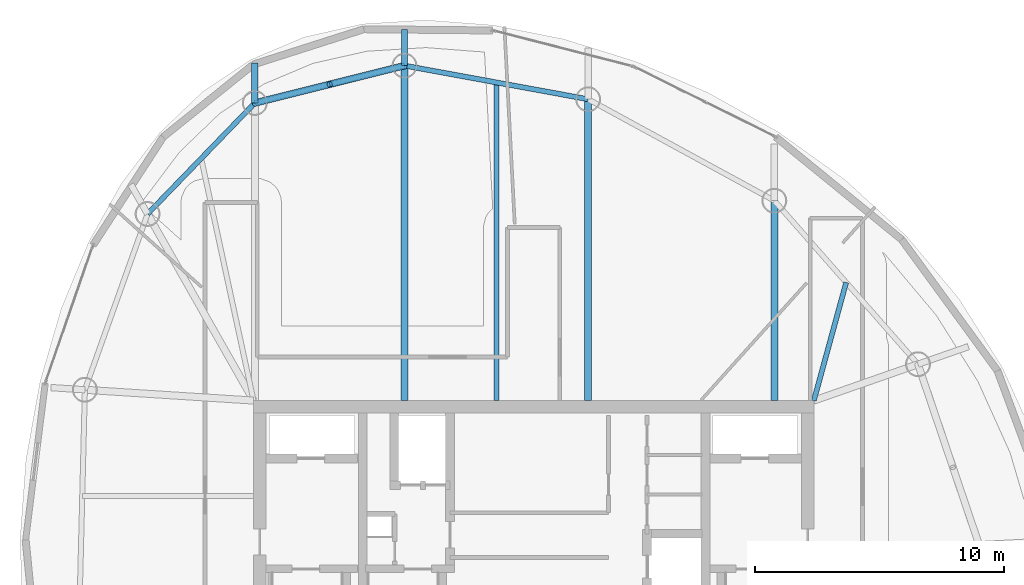
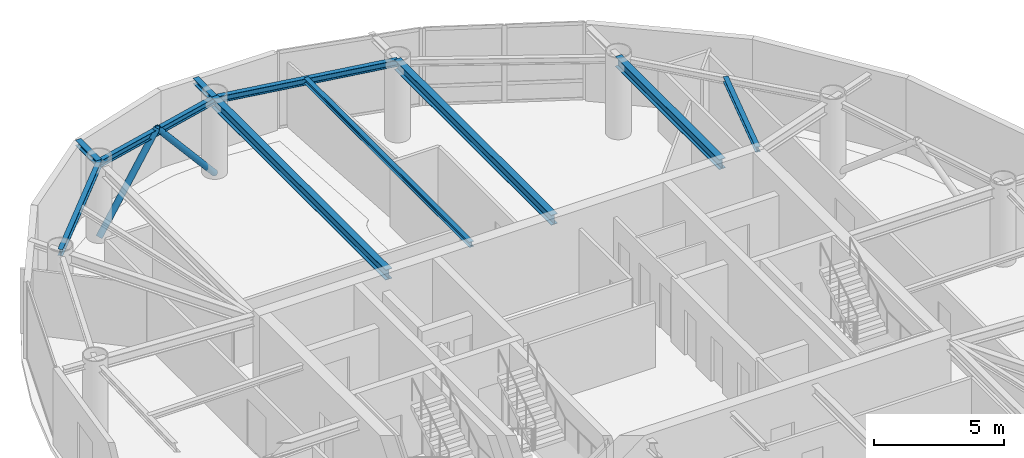
# One storey, part 9 of 17: 10 beams, 2 members.
"""IFC4 building model written with IfcOpenShell, lengths in metres."""

from ifc_helpers import new_model, si_unit, direction, frame, origin, origin_2d, place, context, subcontext, project, spatial, hollow_circle, i_section, extrude, material, material_profile, profile_set, type_object, element, save


model = new_model("IFC4")

# Units and contexts
model_context = context("Model", 3, precision=1e-05, world=origin(), true_north=direction((0.0, 1.0)))
body_context = subcontext(model_context, "Body", "Model", "MODEL_VIEW")
ifc_project = project(units=[si_unit("LENGTHUNIT", "METRE"), si_unit("AREAUNIT", "SQUARE_METRE"), si_unit("VOLUMEUNIT", "CUBIC_METRE"), si_unit("PLANEANGLEUNIT", "RADIAN"), si_unit("MASSUNIT", "GRAM", prefix="KILO")], contexts=[model_context])

# Site, building, storey
site_placement = place(None, origin())
site = spatial("IfcSite", under=ifc_project, at=site_placement, CompositionType="ELEMENT")
building_placement = place(site_placement, origin())
building = spatial("IfcBuilding", under=site, at=building_placement, Name="Bramvorn Convention Spire", CompositionType="ELEMENT")
storey_placement = place(building_placement, frame((0.0, 0.0, 280.550048828125)))
storey = spatial("IfcBuildingStorey", under=building, at=storey_placement, Name="L71", CompositionType="ELEMENT", Elevation=280.550048828125)

# Beams
ifc_material = material(Name="Steel CSA G40.21 Grade 350 (350W)", Category="steel")
ifc_material_profile_1 = material_profile(ifc_material, i_section(OverallWidth=0.201904296875, OverallDepth=0.2470703125, WebThickness=0.00732421875, FlangeThickness=0.010986328125, FilletRadius=0.011962890625, at=origin_2d()))
ifc_profile_set_1 = profile_set([ifc_material_profile_1], Name="Steel CSA G40.21 Grade 350 (350W) - W250X49")
beam_type_1 = type_object("IfcBeamType", Name="BM-W250X49", PredefinedType="JOIST", material=ifc_profile_set_1)
beam_1_placement = place(storey_placement, frame((49.25, 33.449951171875, 3.50146484375), z_axis=(0.26386506219, 0.96455960363, 0.0), x_axis=(-0.96455960363, 0.26386506219, 0.0)))
element("IfcBeam", 1, at=beam_1_placement, inside=storey, type_object=beam_type_1, Name="L71 composite floor joist 05", PredefinedType="JOIST", context=body_context, shape_type="SweptSolid", body=[
    extrude(i_section(OverallWidth=0.201904296875, OverallDepth=0.2470703125, WebThickness=0.00732421875, FlangeThickness=0.010986328125, FilletRadius=0.011962890625, at=origin_2d()), origin(), (0.0, 0.0, 1.0), 4.917724609375),
])
beam_2_placement = place(storey_placement, frame((36.498046875, 33.449951171875, 3.50146484375), z_axis=(0.0, 1.0, 0.0), x_axis=(-1.0, 0.0, 0.0)))
element("IfcBeam", 2, at=beam_2_placement, inside=storey, type_object=beam_type_1, Name="L71 composite floor joist 07", PredefinedType="JOIST", context=body_context, shape_type="SweptSolid", body=[
    extrude(i_section(OverallWidth=0.201904296875, OverallDepth=0.2470703125, WebThickness=0.00732421875, FlangeThickness=0.010986328125, FilletRadius=0.011962890625, at=origin_2d()), origin(), (0.0, 0.0, 1.0), 12.77587890625),
])
ifc_material_profile_2 = material_profile(ifc_material, i_section(OverallWidth=0.25390625, OverallDepth=0.2529296875, WebThickness=0.008544921875, FlangeThickness=0.01416015625, FilletRadius=0.011962890625, at=origin_2d()))
ifc_profile_set_2 = profile_set([ifc_material_profile_2], Name="Steel CSA G40.21 Grade 350 (350W) - W250X73")
beam_type_2 = type_object("IfcBeamType", Name="BM-W250X73", PredefinedType="BEAM", material=ifc_profile_set_2)
beam_3_placement = place(storey_placement, frame((32.8115234375, 46.90087890625, 3.49853515625), z_axis=(0.0, 1.0, 0.0), x_axis=(-1.0, 0.0, 0.0)))
element("IfcBeam", 3, at=beam_3_placement, inside=storey, type_object=beam_type_2, Name="L71 slab-edge cantilever tip beam MC08", PredefinedType="BEAM", context=body_context, shape_type="SweptSolid", body=[
    extrude(i_section(OverallWidth=0.25390625, OverallDepth=0.2529296875, WebThickness=0.008544921875, FlangeThickness=0.01416015625, FilletRadius=0.011962890625, at=origin_2d()), origin(), (0.0, 0.0, 1.0), 1.445068359375),
])
beam_4_placement = place(storey_placement, frame((26.800048828125, 45.39892578125, 3.49853515625), z_axis=(0.0, 1.0, 0.0), x_axis=(-1.0, 0.0, 0.0)))
element("IfcBeam", 4, at=beam_4_placement, inside=storey, type_object=beam_type_2, Name="L71 slab-edge cantilever tip beam MC09", PredefinedType="BEAM", context=body_context, shape_type="SweptSolid", body=[
    extrude(i_section(OverallWidth=0.25390625, OverallDepth=0.2529296875, WebThickness=0.008544921875, FlangeThickness=0.01416015625, FilletRadius=0.011962890625, at=origin_2d()), origin(), (0.0, 0.0, 1.0), 1.616943359375),
])
ifc_material_profile_3 = material_profile(ifc_material, i_section(OverallWidth=0.202880859375, OverallDepth=0.302978515625, WebThickness=0.007568359375, FlangeThickness=0.01318359375, FilletRadius=0.013916015625, at=origin_2d()))
ifc_profile_set_3 = profile_set([ifc_material_profile_3], Name="Steel CSA G40.21 Grade 350 (350W) - W310X60")
beam_type_3 = type_object("IfcBeamType", Name="BM-W310X60", PredefinedType="JOIST", material=ifc_profile_set_3)
beam_5_placement = place(storey_placement, frame((40.1845703125, 45.55078125, 3.473388671875), z_axis=(-0.983645049461, 0.180117785547, 0.0), x_axis=(-0.180117785547, -0.983645049461, 0.0)))
element("IfcBeam", 5, at=beam_5_placement, inside=storey, type_object=beam_type_3, Name="L71 mega-column ring beam 07", PredefinedType="JOIST", context=body_context, shape_type="SweptSolid", body=[
    extrude(i_section(OverallWidth=0.202880859375, OverallDepth=0.302978515625, WebThickness=0.007568359375, FlangeThickness=0.01318359375, FilletRadius=0.013916015625, at=origin_2d()), origin(), (0.0, 0.0, 1.0), 7.49560546875),
])
for number, where, z_axis, x_axis, name in (
    (6, (32.8115234375, 46.90087890625, 3.473388671875), (-0.970177255997, -0.24239655927, 0.0), (0.24239655927, -0.970177255997, 0.0), "L71 mega-column ring beam 08"),
    (7, (26.800048828125, 45.39892578125, 3.473388671875), (-0.695007159797, -0.719002814898, 0.0), (0.719002814898, -0.695007159797, 0.0), "L71 mega-column ring beam 09"),
):
    element("IfcBeam", number, at=place(storey_placement, frame(where, z_axis=z_axis, x_axis=x_axis)), inside=storey, type_object=beam_type_3, Name=name, PredefinedType="JOIST", context=body_context, shape_type="SweptSolid", body=[
        extrude(i_section(OverallWidth=0.202880859375, OverallDepth=0.302978515625, WebThickness=0.007568359375, FlangeThickness=0.01318359375, FilletRadius=0.013916015625, at=origin_2d()), origin(), (0.0, 0.0, 1.0), 6.1962890625),
    ])
ifc_material_profile_4 = material_profile(ifc_material, i_section(OverallWidth=0.283935546875, OverallDepth=0.47607421875, WebThickness=0.014892578125, FlangeThickness=0.02392578125, FilletRadius=0.01806640625, at=origin_2d()))
ifc_profile_set_4 = profile_set([ifc_material_profile_4], Name="Steel CSA G40.21 Grade 350 (350W) - W460X158")
beam_type_4 = type_object("IfcBeamType", Name="BM-W460X158", PredefinedType="SPANDREL", material=ifc_profile_set_4)
beam_6_placement = place(storey_placement, frame((47.662353515625, 33.449951171875, 3.386962890625), z_axis=(0.0, 1.0, 0.0), x_axis=(-1.0, 0.0, 0.0)))
element("IfcBeam", 8, at=beam_6_placement, inside=storey, type_object=beam_type_4, Name="L71 radial floor girder MC06", PredefinedType="SPANDREL", context=body_context, shape_type="SweptSolid", body=[
    extrude(i_section(OverallWidth=0.283935546875, OverallDepth=0.47607421875, WebThickness=0.014892578125, FlangeThickness=0.02392578125, FilletRadius=0.01806640625, at=origin_2d()), origin(), (0.0, 0.0, 1.0), 8.02685546875),
])
beam_7_placement = place(storey_placement, frame((40.1845703125, 33.449951171875, 3.386962890625), z_axis=(0.0, 1.0, 0.0), x_axis=(-1.0, 0.0, 0.0)))
element("IfcBeam", 9, at=beam_7_placement, inside=storey, type_object=beam_type_4, Name="L71 radial floor girder MC07", PredefinedType="SPANDREL", context=body_context, shape_type="SweptSolid", body=[
    extrude(i_section(OverallWidth=0.283935546875, OverallDepth=0.47607421875, WebThickness=0.014892578125, FlangeThickness=0.02392578125, FilletRadius=0.01806640625, at=origin_2d()), origin(), (0.0, 0.0, 1.0), 12.100830078125),
])
beam_8_placement = place(storey_placement, frame((32.8115234375, 33.449951171875, 3.386962890625), z_axis=(0.0, 1.0, 0.0), x_axis=(-1.0, 0.0, 0.0)))
element("IfcBeam", 10, at=beam_8_placement, inside=storey, type_object=beam_type_4, Name="L71 radial floor girder MC08", PredefinedType="SPANDREL", context=body_context, shape_type="SweptSolid", body=[
    extrude(i_section(OverallWidth=0.283935546875, OverallDepth=0.47607421875, WebThickness=0.014892578125, FlangeThickness=0.02392578125, FilletRadius=0.01806640625, at=origin_2d()), origin(), (0.0, 0.0, 1.0), 13.450927734375),
])

# Members
ifc_material_profile_5 = material_profile(ifc_material, hollow_circle(Radius=0.136474609375, WallThickness=0.0126953125, at=origin_2d()))
ifc_profile_set_5 = profile_set([ifc_material_profile_5], Name="Steel CSA G40.21 Grade 350 (350W) - CHS273X13")
member_type = type_object("IfcMemberType", Name="MBR-CHS273X13", PredefinedType="BRACE", material=ifc_profile_set_5)
for number, where, z_axis, x_axis, name in (
    (11, (32.8115234375, 46.90087890625, 0.0), (-0.630340941886, -0.157482840906, 0.760177250253), (0.242387293712, -0.970179570929, 0.0), "L71 perimeter Gothic lancet brace 8A"),
    (12, (26.800048828125, 45.39892578125, 0.0), (0.630310085311, 0.157487923192, 0.76020178269), (-0.242405825514, 0.9701749408, 0.0), "L71 perimeter Gothic lancet brace 8B"),
):
    element("IfcMember", number, at=place(storey_placement, frame(where, z_axis=z_axis, x_axis=x_axis)), inside=storey, type_object=member_type, Name=name, PredefinedType="BRACE", context=body_context, shape_type="SweptSolid", body=[
        extrude(hollow_circle(Radius=0.136474609375, WallThickness=0.0126953125, at=origin_2d()), origin(), (0.0, 0.0, 1.0), 4.7685546875),
    ])

save(model, "model.ifc")
